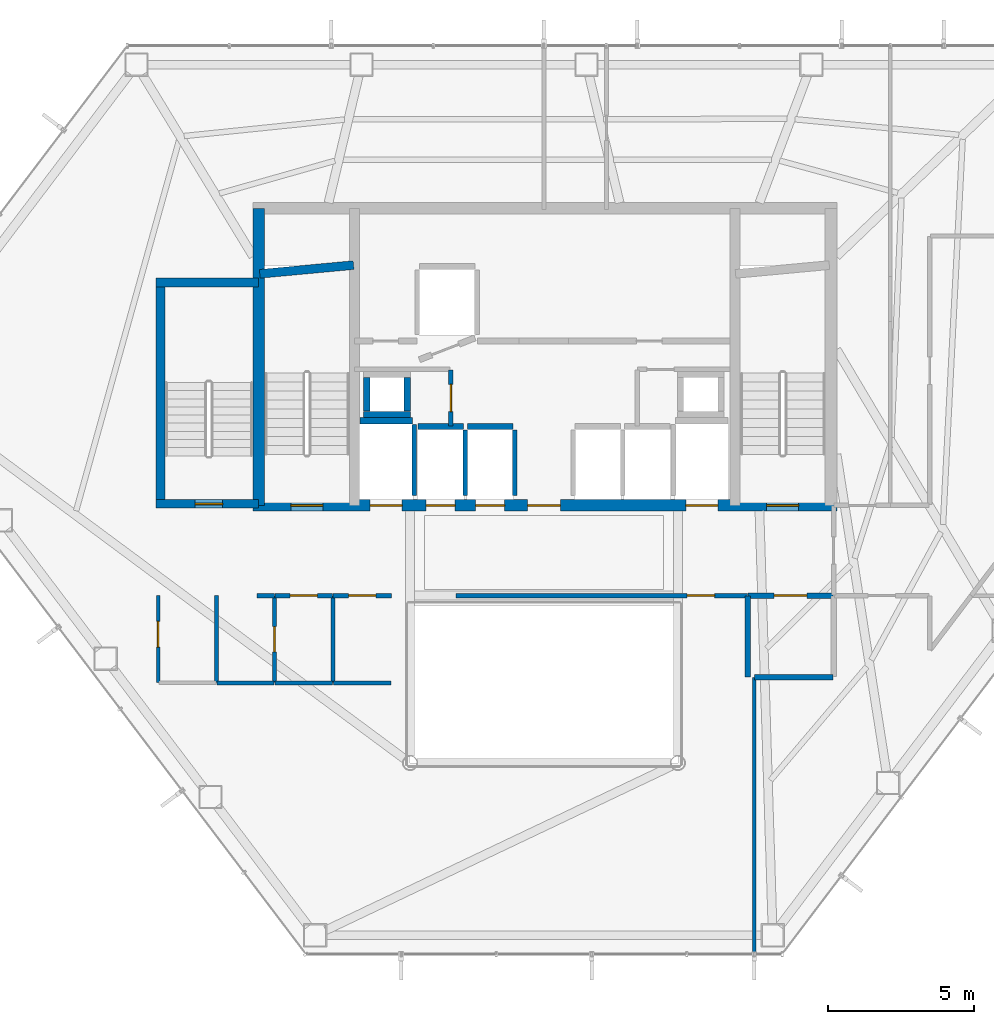
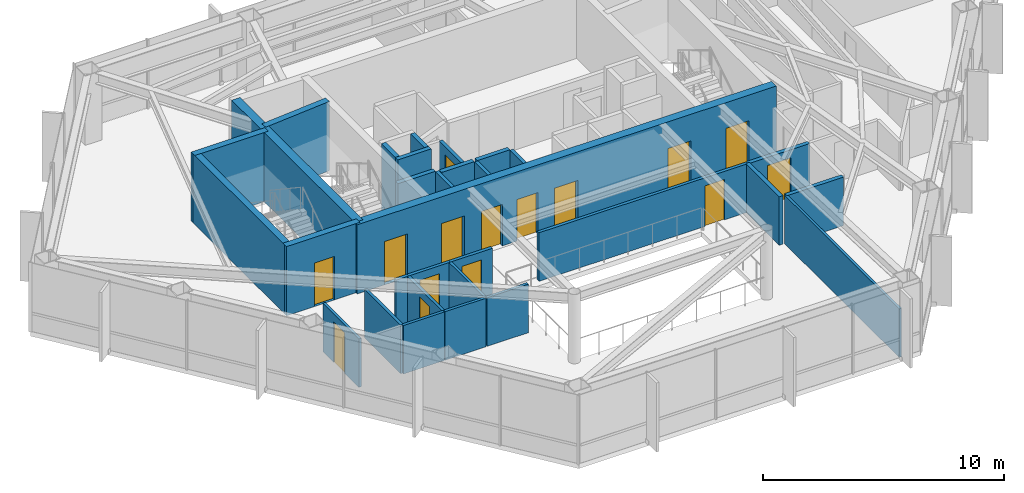
# One storey, part 25 of 28: 31 walls, 15 doors, 15 openings.
"""IFC4 building model written with IfcOpenShell, lengths in metres."""

from ifc_helpers import new_model, si_unit, direction, frame, frame_2d, origin, place, context, subcontext, project, spatial, rectangle, extrude, material, layer, layer_set, type_object, element, fill, save


model = new_model("IFC4")

# Units and contexts
model_context = context("Model", 3, precision=1e-05, world=origin(), true_north=direction((0.0, 1.0)))
body_context = subcontext(model_context, "Body", "Model", "MODEL_VIEW")
ifc_project = project(units=[si_unit("LENGTHUNIT", "METRE"), si_unit("AREAUNIT", "SQUARE_METRE"), si_unit("VOLUMEUNIT", "CUBIC_METRE"), si_unit("PLANEANGLEUNIT", "RADIAN"), si_unit("MASSUNIT", "GRAM", prefix="KILO")], contexts=[model_context])

# Site, building, storey
site_placement = place(None, origin())
site = spatial("IfcSite", under=ifc_project, at=site_placement, CompositionType="ELEMENT")
building_placement = place(site_placement, origin())
building = spatial("IfcBuilding", under=site, at=building_placement, Name="Zarrinselat Tower", CompositionType="ELEMENT")
storey_placement = place(building_placement, frame((0.0, 0.0, 149.60009765625)))
storey = spatial("IfcBuildingStorey", under=building, at=storey_placement, Name="L36", CompositionType="ELEMENT", Elevation=149.60009765625)

# Wall, opening, door
ifc_material_1 = material(Name="Concrete C40/50", Category="concrete")
ifc_layer_1 = layer(ifc_material_1, 0.18994140625)
ifc_layer_set_1 = layer_set([ifc_layer_1], Name="Concrete C40/50")
wall_type_1 = type_object("IfcWallType", Name="WAL-PART-EI120", PredefinedType="PARTITIONING", material=ifc_layer_set_1)
wall_1_placement = place(storey_placement, frame((45.405029296875, 30.14990234375, 0.0), z_axis=(0.0, 0.0, 1.0), x_axis=(1.0, 0.0, 0.0)))
wall_1 = element("IfcWall", 1, at=wall_1_placement, inside=storey, type_object=wall_type_1, Name="L36 Partition Wall 9", PredefinedType="PARTITIONING", context=body_context, shape_type="SweptSolid", body=[
    extrude(rectangle(XDim=2.925048828125, YDim=0.18994140625, at=frame_2d((1.46240234375, 0.0))), origin(), (0.0, 0.0, 1.0), 2.456787109375),
])
opening_1_placement = place(wall_1_placement, frame((0.902587890625, 0.0, 0.0)))
opening_1 = element("IfcOpeningElement", 2, at=opening_1_placement, cuts=wall_1, Name="Opening ID-02", PredefinedType="OPENING", context=body_context, shape_type="SweptSolid", body=[
    extrude(rectangle(XDim=1.1201171875, YDim=2.050048828125, at=frame_2d((0.56005859375, 1.02490234375))), frame((0.0, 0.10498046875, 0.0), z_axis=(0.0, -1.0, 0.0), x_axis=(1.0, 0.0, 0.0)), (0.0, 0.0, 1.0), 0.2099609375),
])
ifc_material_2 = material(Name="Steel S355J2", Category="steel")
door_type_1 = type_object("IfcDoorType", Name="DR-INT-FD60-W", OperationType="NOTDEFINED", PredefinedType="DOOR", material=ifc_material_2)
door_1_placement = place(opening_1_placement, origin())
door_1 = element("IfcDoor", 3, at=door_1_placement, inside=storey, type_object=door_type_1, Name="L36 Interior Door P9", OperationType="SINGLE_SWING_LEFT", OverallHeight=2.050048828125, OverallWidth=1.1201171875, PredefinedType="DOOR", context=body_context, shape_type="SweptSolid", body=[
    extrude(rectangle(XDim=1.1201171875, YDim=2.050048828125, at=frame_2d((0.56005859375, 1.02490234375))), frame((0.0, 0.02490234375, 0.0), z_axis=(0.0, -1.0, 0.0), x_axis=(1.0, 0.0, 0.0)), (0.0, 0.0, 1.0), 0.050048828125),
])
fill(opening_1, door_1)

# Walls
wall_2_placement = place(storey_placement, frame((45.39990234375, 27.35009765625, 0.0), z_axis=(0.0, 0.0, 1.0), x_axis=(0.0, 1.0, 0.0)))
element("IfcWall", 4, at=wall_2_placement, inside=storey, type_object=wall_type_1, Name="L36 Partition Wall 15", PredefinedType="PARTITIONING", context=body_context, shape_type="SweptSolid", body=[
    extrude(rectangle(XDim=2.77978515625, YDim=0.18994140625, at=frame_2d((1.389892578125, 0.0))), origin(), (0.0, 0.0, 1.0), 2.456787109375),
])
wall_3_placement = place(storey_placement, frame((45.623779296875, 27.35009765625, 0.0), z_axis=(0.0, 0.0, 1.0), x_axis=(1.0, 0.0, 0.0)))
element("IfcWall", 5, at=wall_3_placement, inside=storey, type_object=wall_type_1, Name="L36 Partition Wall 16", PredefinedType="PARTITIONING", context=body_context, shape_type="SweptSolid", body=[
    extrude(rectangle(XDim=2.706298828125, YDim=0.18994140625, at=frame_2d((1.35302734375, 0.0))), origin(), (0.0, 0.0, 1.0), 2.456787109375),
])

# Wall, opening, door
ifc_material_3 = material(Name="Fire-Rated Gypsum Board Partition", Category="gypsum")
ifc_layer_2 = layer(ifc_material_3, 0.14990234375)
ifc_layer_set_2 = layer_set([ifc_layer_2], Name="Fire-Rated Gypsum Board Partition")
wall_type_2 = type_object("IfcWallType", Name="WAL-PART-EI60", PredefinedType="PARTITIONING", material=ifc_layer_set_2)
wall_4_placement = place(storey_placement, frame((35.199951171875, 35.969970703125, 0.0), z_axis=(0.0, 0.0, 1.0), x_axis=(0.0, 1.0, 0.0)))
wall_4 = element("IfcWall", 6, at=wall_4_placement, inside=storey, type_object=wall_type_2, Name="L36 Partition Wall 1", PredefinedType="PARTITIONING", context=body_context, shape_type="SweptSolid", body=[
    extrude(rectangle(XDim=1.929931640625, YDim=0.14990234375, at=frame_2d((0.96484375, 0.0))), origin(), (0.0, 0.0, 1.0), 2.456787109375),
])
opening_2_placement = place(wall_4_placement, frame((0.4951171875, 0.0, 0.0)))
opening_2 = element("IfcOpeningElement", 7, at=opening_2_placement, cuts=wall_4, Name="Opening ID-04", PredefinedType="OPENING", context=body_context, shape_type="SweptSolid", body=[
    extrude(rectangle(XDim=0.93994140625, YDim=2.050048828125, at=frame_2d((0.469970703125, 1.02490234375))), frame((0.0, 0.0849609375, 0.0), z_axis=(0.0, -1.0, 0.0), x_axis=(1.0, 0.0, 0.0)), (0.0, 0.0, 1.0), 0.169921875),
])
ifc_material_4 = material(Name="Fire-Rated Gypsum Board Partition")
door_type_2 = type_object("IfcDoorType", Name="DR-INT-FD30-ENT", OperationType="NOTDEFINED", PredefinedType="DOOR", material=ifc_material_4)
door_2_placement = place(opening_2_placement, origin())
door_2 = element("IfcDoor", 8, at=door_2_placement, inside=storey, type_object=door_type_2, Name="L36 Interior Door P1", OperationType="SINGLE_SWING_LEFT", OverallHeight=2.050048828125, OverallWidth=0.93994140625, PredefinedType="DOOR", context=body_context, shape_type="SweptSolid", body=[
    extrude(rectangle(XDim=0.93994140625, YDim=2.050048828125, at=frame_2d((0.469970703125, 1.02490234375))), frame((0.0, 0.02490234375, 0.0), z_axis=(0.0, -1.0, 0.0), x_axis=(1.0, 0.0, 0.0)), (0.0, 0.0, 1.0), 0.050048828125),
])
fill(opening_2, door_2)

# Wall
wall_5_placement = place(storey_placement, frame((28.550048828125, 30.14990234375, 0.0), z_axis=(0.0, 0.0, 1.0), x_axis=(1.0, 0.0, 0.0)))
element("IfcWall", 9, at=wall_5_placement, inside=storey, type_object=wall_type_2, Name="L36 Partition Wall 11", PredefinedType="PARTITIONING", context=body_context, shape_type="SweptSolid", body=[
    extrude(rectangle(XDim=0.594970703125, YDim=0.14990234375, at=frame_2d((0.29736328125, 0.0))), origin(), (0.0, 0.0, 1.0), 2.456787109375),
])

# Wall, opening, door
wall_6_placement = place(storey_placement, frame((29.155029296875, 30.14990234375, 0.0), z_axis=(0.0, 0.0, 1.0), x_axis=(1.0, 0.0, 0.0)))
wall_6 = element("IfcWall", 10, at=wall_6_placement, inside=storey, type_object=wall_type_2, Name="L36 Partition Wall 12", PredefinedType="PARTITIONING", context=body_context, shape_type="SweptSolid", body=[
    extrude(rectangle(XDim=1.989990234375, YDim=0.14990234375, at=frame_2d((0.9951171875, 0.0))), origin(), (0.0, 0.0, 1.0), 2.456787109375),
])
opening_3_placement = place(wall_6_placement, frame((0.52490234375, 0.0, 0.0)))
opening_3 = element("IfcOpeningElement", 11, at=opening_3_placement, cuts=wall_6, Name="Opening ID-04", PredefinedType="OPENING", context=body_context, shape_type="SweptSolid", body=[
    extrude(rectangle(XDim=0.93994140625, YDim=2.050048828125, at=frame_2d((0.469970703125, 1.02490234375))), frame((0.0, 0.0849609375, 0.0), z_axis=(0.0, -1.0, 0.0), x_axis=(1.0, 0.0, 0.0)), (0.0, 0.0, 1.0), 0.169921875),
])
door_3_placement = place(opening_3_placement, origin())
door_3 = element("IfcDoor", 12, at=door_3_placement, inside=storey, type_object=door_type_2, Name="L36 Interior Door P12", OperationType="SINGLE_SWING_LEFT", OverallHeight=2.050048828125, OverallWidth=0.93994140625, PredefinedType="DOOR", context=body_context, shape_type="SweptSolid", body=[
    extrude(rectangle(XDim=0.93994140625, YDim=2.050048828125, at=frame_2d((0.469970703125, 1.02490234375))), frame((0.0, 0.02490234375, 0.0), z_axis=(0.0, -1.0, 0.0), x_axis=(1.0, 0.0, 0.0)), (0.0, 0.0, 1.0), 0.050048828125),
])
fill(opening_3, door_3)

wall_7_placement = place(storey_placement, frame((31.155029296875, 30.14990234375, 0.0), z_axis=(0.0, 0.0, 1.0), x_axis=(1.0, 0.0, 0.0)))
wall_7 = element("IfcWall", 13, at=wall_7_placement, inside=storey, type_object=wall_type_2, Name="L36 Partition Wall 13", PredefinedType="PARTITIONING", context=body_context, shape_type="SweptSolid", body=[
    extrude(rectangle(XDim=2.010009765625, YDim=0.14990234375, at=frame_2d((1.0048828125, 0.0))), origin(), (0.0, 0.0, 1.0), 2.456787109375),
])
opening_4_placement = place(wall_7_placement, frame((0.534912109375, 0.0, 0.0)))
opening_4 = element("IfcOpeningElement", 14, at=opening_4_placement, cuts=wall_7, Name="Opening ID-04", PredefinedType="OPENING", context=body_context, shape_type="SweptSolid", body=[
    extrude(rectangle(XDim=0.93994140625, YDim=2.050048828125, at=frame_2d((0.469970703125, 1.02490234375))), frame((0.0, 0.0849609375, 0.0), z_axis=(0.0, -1.0, 0.0), x_axis=(1.0, 0.0, 0.0)), (0.0, 0.0, 1.0), 0.169921875),
])
door_4_placement = place(opening_4_placement, origin())
door_4 = element("IfcDoor", 15, at=door_4_placement, inside=storey, type_object=door_type_2, Name="L36 Interior Door P13", OperationType="SINGLE_SWING_RIGHT", OverallHeight=2.050048828125, OverallWidth=0.93994140625, PredefinedType="DOOR", context=body_context, shape_type="SweptSolid", body=[
    extrude(rectangle(XDim=0.93994140625, YDim=2.050048828125, at=frame_2d((0.469970703125, 1.02490234375))), frame((0.0, 0.02490234375, 0.0), z_axis=(0.0, -1.0, 0.0), x_axis=(1.0, 0.0, 0.0)), (0.0, 0.0, 1.0), 0.050048828125),
])
fill(opening_4, door_4)

wall_8_placement = place(storey_placement, frame((35.385009765625, 30.14990234375, 0.0), z_axis=(0.0, 0.0, 1.0), x_axis=(1.0, 0.0, 0.0)))
wall_8 = element("IfcWall", 16, at=wall_8_placement, inside=storey, type_object=wall_type_2, Name="L36 Partition Wall 14", PredefinedType="PARTITIONING", context=body_context, shape_type="SweptSolid", body=[
    extrude(rectangle(XDim=10.010009765625, YDim=0.14990234375, at=frame_2d((5.0048828125, 0.0))), origin(), (0.0, 0.0, 1.0), 2.456787109375),
])
opening_5_placement = place(wall_8_placement, frame((7.93505859375, 0.0, 0.0)))
opening_5 = element("IfcOpeningElement", 17, at=opening_5_placement, cuts=wall_8, Name="Opening ID-04", PredefinedType="OPENING", context=body_context, shape_type="SweptSolid", body=[
    extrude(rectangle(XDim=0.93994140625, YDim=2.050048828125, at=frame_2d((0.469970703125, 1.02490234375))), frame((0.0, 0.0849609375, 0.0), z_axis=(0.0, -1.0, 0.0), x_axis=(1.0, 0.0, 0.0)), (0.0, 0.0, 1.0), 0.169921875),
])
door_5_placement = place(opening_5_placement, origin())
door_5 = element("IfcDoor", 18, at=door_5_placement, inside=storey, type_object=door_type_2, Name="L36 Interior Door P14", OperationType="SINGLE_SWING_LEFT", OverallHeight=2.050048828125, OverallWidth=0.93994140625, PredefinedType="DOOR", context=body_context, shape_type="SweptSolid", body=[
    extrude(rectangle(XDim=0.93994140625, YDim=2.050048828125, at=frame_2d((0.469970703125, 1.02490234375))), frame((0.0, 0.02490234375, 0.0), z_axis=(0.0, -1.0, 0.0), x_axis=(1.0, 0.0, 0.0)), (0.0, 0.0, 1.0), 0.050048828125),
])
fill(opening_5, door_5)

ifc_material_5 = material(Name="Fire-Rated Gypsum Board Partition", Category="gypsum")
ifc_layer_3 = layer(ifc_material_5, 0.1201171875)
ifc_layer_set_3 = layer_set([ifc_layer_3], Name="Fire-Rated Gypsum Board Partition")
wall_type_3 = type_object("IfcWallType", Name="WAL-PART-STD", PredefinedType="PARTITIONING", material=ifc_layer_set_3)
wall_9_placement = place(storey_placement, frame((25.14990234375, 27.169921875, 0.0), z_axis=(0.0, 0.0, 1.0), x_axis=(0.0, 1.0, 0.0)))
wall_9 = element("IfcWall", 19, at=wall_9_placement, inside=storey, type_object=wall_type_3, Name="L36 Partition Wall 31", PredefinedType="PARTITIONING", context=body_context, shape_type="SweptSolid", body=[
    extrude(rectangle(XDim=2.97998046875, YDim=0.1201171875, at=frame_2d((1.489990234375, 0.0))), origin(), (0.0, 0.0, 1.0), 2.456787109375),
])
opening_6_placement = place(wall_9_placement, frame((1.2099609375, 0.0, 0.0)))
opening_6 = element("IfcOpeningElement", 20, at=opening_6_placement, cuts=wall_9, Name="Opening ID-03", PredefinedType="OPENING", context=body_context, shape_type="SweptSolid", body=[
    extrude(rectangle(XDim=0.8798828125, YDim=2.050048828125, at=frame_2d((0.43994140625, 1.02490234375))), frame((0.0, 0.070068359375, 0.0), z_axis=(0.0, -1.0, 0.0), x_axis=(1.0, 0.0, 0.0)), (0.0, 0.0, 1.0), 0.14013671875),
])
ifc_material_6 = material(Name="Steel S355J2", Category="steel")
door_type_3 = type_object("IfcDoorType", Name="DR-INT-FD60-S", OperationType="NOTDEFINED", PredefinedType="DOOR", material=ifc_material_6)
door_6_placement = place(opening_6_placement, origin())
door_6 = element("IfcDoor", 21, at=door_6_placement, inside=storey, type_object=door_type_3, Name="L36 Interior Door P31", OperationType="SINGLE_SWING_RIGHT", OverallHeight=2.050048828125, OverallWidth=0.8798828125, PredefinedType="DOOR", context=body_context, shape_type="SweptSolid", body=[
    extrude(rectangle(XDim=0.8798828125, YDim=2.050048828125, at=frame_2d((0.43994140625, 1.02490234375))), frame((0.0, 0.02490234375, 0.0), z_axis=(0.0, -1.0, 0.0), x_axis=(1.0, 0.0, 0.0)), (0.0, 0.0, 1.0), 0.050048828125),
])
fill(opening_6, door_6)

# Walls
wall_10_placement = place(storey_placement, frame((45.61865234375, 17.846435546875, 0.0), z_axis=(0.0, 0.0, 1.0), x_axis=(0.0, 1.0, 0.0)))
element("IfcWall", 22, at=wall_10_placement, inside=storey, type_object=wall_type_3, Name="L36 Partition Wall 37", PredefinedType="PARTITIONING", context=body_context, shape_type="SweptSolid", body=[
    extrude(rectangle(XDim=9.483642578125, YDim=0.1201171875, at=frame_2d((4.74169921875, 0.0))), origin(), (0.0, 0.0, 1.0), 2.456787109375),
])
ifc_material_7 = material(Name="Fire-Rated Gypsum Board Partition", Category="gypsum")
ifc_layer_4 = layer(ifc_material_7, 0.135009765625)
ifc_layer_set_4 = layer_set([ifc_layer_4], Name="Fire-Rated Gypsum Board Partition")
wall_type_4 = type_object("IfcWallType", Name="WAL-PART-WET", PredefinedType="PARTITIONING", material=ifc_layer_set_4)
wall_11_placement = place(storey_placement, frame((27.14990234375, 27.169921875, 0.0), z_axis=(0.0, 0.0, 1.0), x_axis=(0.0, 1.0, 0.0)))
element("IfcWall", 23, at=wall_11_placement, inside=storey, type_object=wall_type_4, Name="L36 Partition Wall 29", PredefinedType="PARTITIONING", context=body_context, shape_type="SweptSolid", body=[
    extrude(rectangle(XDim=2.97998046875, YDim=0.135009765625, at=frame_2d((1.489990234375, 0.0))), origin(), (0.0, 0.0, 1.0), 2.456787109375),
])

# Wall, opening, door
wall_12_placement = place(storey_placement, frame((29.14990234375, 27.169921875, 0.0), z_axis=(0.0, 0.0, 1.0), x_axis=(0.0, 1.0, 0.0)))
wall_12 = element("IfcWall", 24, at=wall_12_placement, inside=storey, type_object=wall_type_4, Name="L36 Partition Wall 32", PredefinedType="PARTITIONING", context=body_context, shape_type="SweptSolid", body=[
    extrude(rectangle(XDim=2.9599609375, YDim=0.135009765625, at=frame_2d((1.47998046875, 0.0))), origin(), (0.0, 0.0, 1.0), 2.456787109375),
])
opening_7_placement = place(wall_12_placement, frame((1.050048828125, 0.0, 0.0)))
opening_7 = element("IfcOpeningElement", 25, at=opening_7_placement, cuts=wall_12, Name="Opening ID-06", PredefinedType="OPENING", context=body_context, shape_type="SweptSolid", body=[
    extrude(rectangle(XDim=0.860107421875, YDim=2.050048828125, at=frame_2d((0.43017578125, 1.02490234375))), frame((0.0, 0.077392578125, 0.0), z_axis=(0.0, -1.0, 0.0), x_axis=(1.0, 0.0, 0.0)), (0.0, 0.0, 1.0), 0.155029296875),
])
ifc_material_8 = material(Name="Extruded Aluminium Alloy EN AW-6063 T6", Category="aluminium")
door_type_4 = type_object("IfcDoorType", Name="DR-INT-WET-900", OperationType="NOTDEFINED", PredefinedType="DOOR", material=ifc_material_8)
door_7_placement = place(opening_7_placement, origin())
door_7 = element("IfcDoor", 26, at=door_7_placement, inside=storey, type_object=door_type_4, Name="L36 Interior Door P32", OperationType="SINGLE_SWING_LEFT", OverallHeight=2.050048828125, OverallWidth=0.860107421875, PredefinedType="DOOR", context=body_context, shape_type="SweptSolid", body=[
    extrude(rectangle(XDim=0.860107421875, YDim=2.050048828125, at=frame_2d((0.43017578125, 1.02490234375))), frame((0.0, 0.02490234375, 0.0), z_axis=(0.0, -1.0, 0.0), x_axis=(1.0, 0.0, 0.0)), (0.0, 0.0, 1.0), 0.050048828125),
])
fill(opening_7, door_7)

# Walls
wall_13_placement = place(storey_placement, frame((27.169921875, 27.14990234375, 0.0), z_axis=(0.0, 0.0, 1.0), x_axis=(1.0, 0.0, 0.0)))
element("IfcWall", 27, at=wall_13_placement, inside=storey, type_object=wall_type_4, Name="L36 Partition Wall 33", PredefinedType="PARTITIONING", context=body_context, shape_type="SweptSolid", body=[
    extrude(rectangle(XDim=1.9599609375, YDim=0.135009765625, at=frame_2d((0.97998046875, 0.0))), origin(), (0.0, 0.0, 1.0), 2.456787109375),
])
wall_14_placement = place(storey_placement, frame((31.14990234375, 27.169921875, 0.0), z_axis=(0.0, 0.0, 1.0), x_axis=(0.0, 1.0, 0.0)))
element("IfcWall", 28, at=wall_14_placement, inside=storey, type_object=wall_type_4, Name="L36 Partition Wall 34", PredefinedType="PARTITIONING", context=body_context, shape_type="SweptSolid", body=[
    extrude(rectangle(XDim=2.9599609375, YDim=0.135009765625, at=frame_2d((1.47998046875, 0.0))), origin(), (0.0, 0.0, 1.0), 2.456787109375),
])
wall_15_placement = place(storey_placement, frame((29.169921875, 27.14990234375, 0.0), z_axis=(0.0, 0.0, 1.0), x_axis=(1.0, 0.0, 0.0)))
element("IfcWall", 29, at=wall_15_placement, inside=storey, type_object=wall_type_4, Name="L36 Partition Wall 35", PredefinedType="PARTITIONING", context=body_context, shape_type="SweptSolid", body=[
    extrude(rectangle(XDim=1.9599609375, YDim=0.135009765625, at=frame_2d((0.97998046875, 0.0))), origin(), (0.0, 0.0, 1.0), 2.456787109375),
])
wall_16_placement = place(storey_placement, frame((31.169921875, 27.14990234375, 0.0), z_axis=(0.0, 0.0, 1.0), x_axis=(1.0, 0.0, 0.0)))
element("IfcWall", 30, at=wall_16_placement, inside=storey, type_object=wall_type_4, Name="L36 Partition Wall 36", PredefinedType="PARTITIONING", context=body_context, shape_type="SweptSolid", body=[
    extrude(rectangle(XDim=1.97998046875, YDim=0.135009765625, at=frame_2d((0.989990234375, 0.0))), origin(), (0.0, 0.0, 1.0), 2.456787109375),
])
ifc_material_9 = material(Name="Concrete C40/50", Category="concrete")
ifc_layer_5 = layer(ifc_material_9, 0.2099609375)
ifc_layer_set_5 = layer_set([ifc_layer_5], Name="Concrete C40/50")
wall_type_5 = type_object("IfcWallType", Name="WAL-SHAFT-210", PredefinedType="SOLIDWALL", material=ifc_layer_set_5)
wall_17_placement = place(storey_placement, frame((32.080078125, 36.155029296875, 0.0), z_axis=(0.0, 0.0, 1.0), x_axis=(1.0, 0.0, 0.0)))
element("IfcWall", 31, at=wall_17_placement, inside=storey, type_object=wall_type_5, Name="L36 Lift FFL1 North Shaft Wall", PredefinedType="SOLIDWALL", context=body_context, shape_type="SweptSolid", body=[
    extrude(rectangle(XDim=1.7998046875, YDim=0.2099609375, at=frame_2d((0.89990234375, 0.0))), origin(), (0.0, 0.0, 1.0), 2.471923828125),
])
wall_18_placement = place(storey_placement, frame((33.949951171875, 33.580078125, 0.0), z_axis=(0.0, 0.0, 1.0), x_axis=(0.0, 1.0, 0.0)))
element("IfcWall", 32, at=wall_18_placement, inside=storey, type_object=wall_type_5, Name="L36 Lift FFL1 E Shaft Wall", PredefinedType="SOLIDWALL", context=body_context, shape_type="SweptSolid", body=[
    extrude(rectangle(XDim=2.449951171875, YDim=0.159912109375, at=frame_2d((1.22509765625, 0.0))), origin(), (0.0, 0.0, 1.0), 2.471923828125),
])
wall_19_placement = place(storey_placement, frame((34.070068359375, 35.955078125, 0.0), z_axis=(0.0, 0.0, 1.0), x_axis=(1.0, 0.0, 0.0)))
element("IfcWall", 33, at=wall_19_placement, inside=storey, type_object=wall_type_5, Name="L36 Lift PL5 North Shaft Wall", PredefinedType="SOLIDWALL", context=body_context, shape_type="SweptSolid", body=[
    extrude(rectangle(XDim=1.559814453125, YDim=0.2099609375, at=frame_2d((0.77978515625, 0.0))), origin(), (0.0, 0.0, 1.0), 2.471923828125),
])
wall_20_placement = place(storey_placement, frame((35.699951171875, 33.580078125, 0.0), z_axis=(0.0, 0.0, 1.0), x_axis=(0.0, 1.0, 0.0)))
element("IfcWall", 34, at=wall_20_placement, inside=storey, type_object=wall_type_5, Name="L36 Lift PL5 E Shaft Wall", PredefinedType="SOLIDWALL", context=body_context, shape_type="SweptSolid", body=[
    extrude(rectangle(XDim=2.25, YDim=0.159912109375, at=frame_2d((1.125, 0.0))), origin(), (0.0, 0.0, 1.0), 2.471923828125),
])
wall_21_placement = place(storey_placement, frame((35.77001953125, 35.955078125, 0.0), z_axis=(0.0, 0.0, 1.0), x_axis=(1.0, 0.0, 0.0)))
element("IfcWall", 35, at=wall_21_placement, inside=storey, type_object=wall_type_5, Name="L36 Lift PL6 North Shaft Wall", PredefinedType="SOLIDWALL", context=body_context, shape_type="SweptSolid", body=[
    extrude(rectangle(XDim=1.56005859375, YDim=0.2099609375, at=frame_2d((0.780029296875, 0.0))), origin(), (0.0, 0.0, 1.0), 2.471923828125),
])
wall_22_placement = place(storey_placement, frame((37.39990234375, 33.580078125, 0.0), z_axis=(0.0, 0.0, 1.0), x_axis=(0.0, 1.0, 0.0)))
element("IfcWall", 36, at=wall_22_placement, inside=storey, type_object=wall_type_5, Name="L36 Lift PL6 E Shaft Wall", PredefinedType="SOLIDWALL", context=body_context, shape_type="SweptSolid", body=[
    extrude(rectangle(XDim=2.25, YDim=0.159912109375, at=frame_2d((1.125, 0.0))), origin(), (0.0, 0.0, 1.0), 2.471923828125),
])
wall_23_placement = place(storey_placement, frame((32.2099609375, 36.375, 0.0), z_axis=(0.0, 0.0, 1.0), x_axis=(1.0, 0.0, 0.0)))
element("IfcWall", 37, at=wall_23_placement, inside=storey, type_object=wall_type_5, Name="L36 Core Riser RSR-W S Shaft Wall", PredefinedType="SOLIDWALL", context=body_context, shape_type="SweptSolid", body=[
    extrude(rectangle(XDim=1.60009765625, YDim=0.2099609375, at=frame_2d((0.800048828125, 0.0))), origin(), (0.0, 0.0, 1.0), 3.5),
])
for number, where, z_axis, x_axis, name in (
    (38, (32.31494140625, 36.485107421875, 0.0), (0.0, 0.0, 1.0), (0.0, 1.0, 0.0), "L36 Core Riser RSR-W W Shaft Wall"),
    (39, (33.705078125, 36.485107421875, 0.0), (0.0, 0.0, 1.0), (0.0, 1.0, 0.0), "L36 Core Riser RSR-W E Shaft Wall"),
):
    element("IfcWall", number, at=place(storey_placement, frame(where, z_axis=z_axis, x_axis=x_axis)), inside=storey, type_object=wall_type_5, Name=name, PredefinedType="SOLIDWALL", context=body_context, shape_type="SweptSolid", body=[
        extrude(rectangle(XDim=1.14990234375, YDim=0.2099609375, at=frame_2d((0.574951171875, 0.0))), origin(), (0.0, 0.0, 1.0), 3.5),
    ])
ifc_material_10 = material(Name="Concrete C40/50", Category="concrete")
ifc_layer_6 = layer(ifc_material_10, 0.300048828125)
ifc_layer_set_6 = layer_set([ifc_layer_6], Name="Concrete C40/50")
wall_type_6 = type_object("IfcWallType", Name="WAL-SHEAR-300", PredefinedType="SHEAR", material=ifc_layer_set_6)
wall_24_placement = place(storey_placement, frame((28.639892578125, 41.199951171875, 0.0), z_axis=(0.0, 0.0, 1.0), x_axis=(0.995687118776, 0.092774789157, 0.0)))
element("IfcWall", 40, at=wall_24_placement, inside=storey, type_object=wall_type_6, Name="L36 Stair 1 North Shaft Wall", PredefinedType="SHEAR", context=body_context, shape_type="SweptSolid", body=[
    extrude(rectangle(XDim=3.234130859375, YDim=0.300048828125, at=frame_2d((1.6171875, 0.0))), origin(), (0.0, 0.0, 1.0), 3.5),
])
wall_25_placement = place(storey_placement, frame((25.080078125, 40.89990234375, 0.0), z_axis=(0.0, 0.0, 1.0), x_axis=(1.0, 0.0, 0.0)))
element("IfcWall", 41, at=wall_25_placement, inside=storey, type_object=wall_type_6, Name="L36 Stair 3 North Shear Wall", PredefinedType="SHEAR", context=body_context, shape_type="SweptSolid", body=[
    extrude(rectangle(XDim=3.52001953125, YDim=0.300048828125, at=frame_2d((1.760009765625, 0.0))), origin(), (0.0, 0.0, 1.0), 3.5),
])

# Wall, opening, door
wall_26_placement = place(storey_placement, frame((25.080078125, 33.300048828125, 0.0), z_axis=(0.0, 0.0, 1.0), x_axis=(1.0, 0.0, 0.0)))
wall_26 = element("IfcWall", 42, at=wall_26_placement, inside=storey, type_object=wall_type_6, Name="L36 Stair 3 South Shear Wall", PredefinedType="SHEAR", context=body_context, shape_type="SweptSolid", body=[
    extrude(rectangle(XDim=3.52001953125, YDim=0.300048828125, at=frame_2d((1.760009765625, 0.0))), origin(), (0.0, 0.0, 1.0), 3.5),
])
opening_8_placement = place(wall_26_placement, frame((1.3349609375, 0.0, 0.0)))
opening_8 = element("IfcOpeningElement", 43, at=opening_8_placement, cuts=wall_26, Name="Opening SD-02", PredefinedType="OPENING", context=body_context, shape_type="SweptSolid", body=[
    extrude(rectangle(XDim=0.949951171875, YDim=2.199951171875, at=frame_2d((0.47509765625, 1.10009765625))), frame((0.0, 0.159912109375, 0.0), z_axis=(0.0, -1.0, 0.0), x_axis=(1.0, 0.0, 0.0)), (0.0, 0.0, 1.0), 0.320068359375),
])
ifc_material_11 = material(Name="Steel S355J2", Category="steel")
door_type_5 = type_object("IfcDoorType", Name="DR-STAIR-1050", OperationType="NOTDEFINED", PredefinedType="DOOR", material=ifc_material_11)
door_8_placement = place(opening_8_placement, origin())
door_8 = element("IfcDoor", 44, at=door_8_placement, inside=storey, type_object=door_type_5, Name="L36 Exit Stair 3 Fire Door", OperationType="SINGLE_SWING_LEFT", OverallHeight=2.199951171875, OverallWidth=0.949951171875, PredefinedType="DOOR", context=body_context, shape_type="SweptSolid", body=[
    extrude(rectangle(XDim=0.949951171875, YDim=2.199951171875, at=frame_2d((0.47509765625, 1.10009765625))), frame((0.0, 0.02490234375, 0.0), z_axis=(0.0, -1.0, 0.0), x_axis=(1.0, 0.0, 0.0)), (0.0, 0.0, 1.0), 0.050048828125),
])
fill(opening_8, door_8)

# Wall
wall_27_placement = place(storey_placement, frame((25.22998046875, 33.300048828125, 0.0), z_axis=(0.0, 0.0, 1.0), x_axis=(0.0, 1.0, 0.0)))
element("IfcWall", 45, at=wall_27_placement, inside=storey, type_object=wall_type_6, Name="L36 Stair 3 West Shear Wall", PredefinedType="SHEAR", context=body_context, shape_type="SweptSolid", body=[
    extrude(rectangle(XDim=7.599853515625, YDim=0.300048828125, at=frame_2d((3.7998046875, 0.0))), origin(), (0.0, 0.0, 1.0), 3.5),
])

# Wall, openings, doors
ifc_material_12 = material(Name="Concrete C60/75", Category="concrete")
ifc_layer_7 = layer(ifc_material_12, 0.39990234375)
ifc_layer_set_7 = layer_set([ifc_layer_7], Name="Concrete C60/75")
wall_type_7 = type_object("IfcWallType", Name="WAL-SHEAR-400", PredefinedType="SHEAR", material=ifc_layer_set_7)
wall_28_placement = place(storey_placement, frame((28.39990234375, 33.25, 0.0), z_axis=(0.0, 0.0, 1.0), x_axis=(1.0, 0.0, 0.0)))
wall_28 = element("IfcWall", 46, at=wall_28_placement, inside=storey, type_object=wall_type_7, Name="L36 South Core Shear Wall", PredefinedType="SHEAR", context=body_context, shape_type="SweptSolid", body=[
    extrude(rectangle(XDim=20.06005859375, YDim=0.39990234375, at=frame_2d((10.030029296875, 0.0))), origin(), (0.0, 0.0, 1.0), 3.5),
])
opening_9_placement = place(wall_28_placement, frame((4.030029296875, 0.0, 0.0)))
opening_9 = element("IfcOpeningElement", 47, at=opening_9_placement, cuts=wall_28, Name="Opening LD-FFL1", PredefinedType="OPENING", context=body_context, shape_type="SweptSolid", body=[
    extrude(rectangle(XDim=1.10009765625, YDim=2.14990234375, at=frame_2d((0.550048828125, 1.074951171875))), frame((0.0, 0.2099609375, 0.0), z_axis=(0.0, -1.0, 0.0), x_axis=(1.0, 0.0, 0.0)), (0.0, 0.0, 1.0), 0.419921875),
])
opening_10_placement = place(wall_28_placement, frame((14.8701171875, 0.0, 0.0)))
opening_10 = element("IfcOpeningElement", 48, at=opening_10_placement, cuts=wall_28, Name="Opening LD-FFL2", PredefinedType="OPENING", context=body_context, shape_type="SweptSolid", body=[
    extrude(rectangle(XDim=1.10009765625, YDim=2.14990234375, at=frame_2d((0.550048828125, 1.074951171875))), frame((0.0, 0.2099609375, 0.0), z_axis=(0.0, -1.0, 0.0), x_axis=(1.0, 0.0, 0.0)), (0.0, 0.0, 1.0), 0.419921875),
])
opening_11_placement = place(wall_28_placement, frame((5.949951171875, 0.0, 0.0)))
opening_11 = element("IfcOpeningElement", 49, at=opening_11_placement, cuts=wall_28, Name="Opening LD-PL5", PredefinedType="OPENING", context=body_context, shape_type="SweptSolid", body=[
    extrude(rectangle(XDim=1.0, YDim=2.10009765625, at=frame_2d((0.5, 1.050048828125))), frame((0.0, 0.2099609375, 0.0), z_axis=(0.0, -1.0, 0.0), x_axis=(1.0, 0.0, 0.0)), (0.0, 0.0, 1.0), 0.419921875),
])
opening_12_placement = place(wall_28_placement, frame((7.64990234375, 0.0, 0.0)))
opening_12 = element("IfcOpeningElement", 50, at=opening_12_placement, cuts=wall_28, Name="Opening LD-PL6", PredefinedType="OPENING", context=body_context, shape_type="SweptSolid", body=[
    extrude(rectangle(XDim=1.0, YDim=2.10009765625, at=frame_2d((0.5, 1.050048828125))), frame((0.0, 0.2099609375, 0.0), z_axis=(0.0, -1.0, 0.0), x_axis=(1.0, 0.0, 0.0)), (0.0, 0.0, 1.0), 0.419921875),
])
opening_13_placement = place(wall_28_placement, frame((1.31005859375, 0.0, 0.0)))
opening_13 = element("IfcOpeningElement", 51, at=opening_13_placement, cuts=wall_28, Name="Opening SD-01", PredefinedType="OPENING", context=body_context, shape_type="SweptSolid", body=[
    extrude(rectangle(XDim=1.10009765625, YDim=2.199951171875, at=frame_2d((0.550048828125, 1.10009765625))), frame((0.0, 0.2099609375, 0.0), z_axis=(0.0, -1.0, 0.0), x_axis=(1.0, 0.0, 0.0)), (0.0, 0.0, 1.0), 0.419921875),
])
opening_14_placement = place(wall_28_placement, frame((9.43994140625, 0.0, 0.0)))
opening_14 = element("IfcOpeningElement", 52, at=opening_14_placement, cuts=wall_28, Name="Opening ID-02", PredefinedType="OPENING", context=body_context, shape_type="SweptSolid", body=[
    extrude(rectangle(XDim=1.1201171875, YDim=2.050048828125, at=frame_2d((0.56005859375, 1.02490234375))), frame((0.0, 0.2099609375, 0.0), z_axis=(0.0, -1.0, 0.0), x_axis=(1.0, 0.0, 0.0)), (0.0, 0.0, 1.0), 0.419921875),
])
opening_15_placement = place(wall_28_placement, frame((17.64990234375, 0.0, 0.0)))
opening_15 = element("IfcOpeningElement", 53, at=opening_15_placement, cuts=wall_28, Name="Opening SD-01", PredefinedType="OPENING", context=body_context, shape_type="SweptSolid", body=[
    extrude(rectangle(XDim=1.10009765625, YDim=2.199951171875, at=frame_2d((0.550048828125, 1.10009765625))), frame((0.0, 0.2099609375, 0.0), z_axis=(0.0, -1.0, 0.0), x_axis=(1.0, 0.0, 0.0)), (0.0, 0.0, 1.0), 0.419921875),
])
door_9_placement = place(opening_14_placement, origin())
door_9 = element("IfcDoor", 54, at=door_9_placement, inside=storey, type_object=door_type_1, Name="L36 Core Service Vestibule Fire Door", OperationType="SINGLE_SWING_RIGHT", OverallHeight=2.050048828125, OverallWidth=1.1201171875, PredefinedType="DOOR", context=body_context, shape_type="SweptSolid", body=[
    extrude(rectangle(XDim=1.1201171875, YDim=2.050048828125, at=frame_2d((0.56005859375, 1.02490234375))), frame((0.0, 0.02490234375, 0.0), z_axis=(0.0, -1.0, 0.0), x_axis=(1.0, 0.0, 0.0)), (0.0, 0.0, 1.0), 0.050048828125),
])
fill(opening_14, door_9)
ifc_material_13 = material(Name="Steel S355J2", Category="steel")
door_type_6 = type_object("IfcDoorType", Name="DR-LIFT-FF-1100", OperationType="NOTDEFINED", PredefinedType="DOOR", material=ifc_material_13)
door_10_placement = place(opening_9_placement, origin())
door_10 = element("IfcDoor", 55, at=door_10_placement, inside=storey, type_object=door_type_6, Name="L36 Lift FFL1 Sliding Landing Door", OperationType="SLIDING_TO_LEFT", OverallHeight=2.14990234375, OverallWidth=1.10009765625, PredefinedType="DOOR", context=body_context, shape_type="SweptSolid", body=[
    extrude(rectangle(XDim=1.10009765625, YDim=2.14990234375, at=frame_2d((0.550048828125, 1.074951171875))), frame((0.0, 0.02490234375, 0.0), z_axis=(0.0, -1.0, 0.0), x_axis=(1.0, 0.0, 0.0)), (0.0, 0.0, 1.0), 0.050048828125),
])
fill(opening_9, door_10)
door_11_placement = place(opening_10_placement, origin())
door_11 = element("IfcDoor", 56, at=door_11_placement, inside=storey, type_object=door_type_6, Name="L36 Lift FFL2 Sliding Landing Door", OperationType="SLIDING_TO_RIGHT", OverallHeight=2.14990234375, OverallWidth=1.10009765625, PredefinedType="DOOR", context=body_context, shape_type="SweptSolid", body=[
    extrude(rectangle(XDim=1.10009765625, YDim=2.14990234375, at=frame_2d((0.550048828125, 1.074951171875))), frame((0.0, 0.02490234375, 0.0), z_axis=(0.0, -1.0, 0.0), x_axis=(1.0, 0.0, 0.0)), (0.0, 0.0, 1.0), 0.050048828125),
])
fill(opening_10, door_11)
ifc_material_14 = material(Name="Steel S355J2", Category="steel")
door_type_7 = type_object("IfcDoorType", Name="DR-LIFT-PS-1000", OperationType="NOTDEFINED", PredefinedType="DOOR", material=ifc_material_14)
door_12_placement = place(opening_11_placement, origin())
door_12 = element("IfcDoor", 57, at=door_12_placement, inside=storey, type_object=door_type_7, Name="L36 Lift PL5 Sliding Landing Door", OperationType="SLIDING_TO_LEFT", OverallHeight=2.10009765625, OverallWidth=1.0, PredefinedType="DOOR", context=body_context, shape_type="SweptSolid", body=[
    extrude(rectangle(XDim=1.0, YDim=2.10009765625, at=frame_2d((0.5, 1.050048828125))), frame((0.0, 0.02490234375, 0.0), z_axis=(0.0, -1.0, 0.0), x_axis=(1.0, 0.0, 0.0)), (0.0, 0.0, 1.0), 0.050048828125),
])
fill(opening_11, door_12)
door_13_placement = place(opening_12_placement, origin())
door_13 = element("IfcDoor", 58, at=door_13_placement, inside=storey, type_object=door_type_7, Name="L36 Lift PL6 Sliding Landing Door", OperationType="SLIDING_TO_RIGHT", OverallHeight=2.10009765625, OverallWidth=1.0, PredefinedType="DOOR", context=body_context, shape_type="SweptSolid", body=[
    extrude(rectangle(XDim=1.0, YDim=2.10009765625, at=frame_2d((0.5, 1.050048828125))), frame((0.0, 0.02490234375, 0.0), z_axis=(0.0, -1.0, 0.0), x_axis=(1.0, 0.0, 0.0)), (0.0, 0.0, 1.0), 0.050048828125),
])
fill(opening_12, door_13)
ifc_material_15 = material(Name="Steel S355J2", Category="steel")
door_type_8 = type_object("IfcDoorType", Name="DR-STAIR-1100", OperationType="NOTDEFINED", PredefinedType="DOOR", material=ifc_material_15)
door_14_placement = place(opening_13_placement, origin())
door_14 = element("IfcDoor", 59, at=door_14_placement, inside=storey, type_object=door_type_8, Name="L36 Exit Stair 1 Fire Door", OperationType="SINGLE_SWING_LEFT", OverallHeight=2.199951171875, OverallWidth=1.10009765625, PredefinedType="DOOR", context=body_context, shape_type="SweptSolid", body=[
    extrude(rectangle(XDim=1.10009765625, YDim=2.199951171875, at=frame_2d((0.550048828125, 1.10009765625))), frame((0.0, 0.02490234375, 0.0), z_axis=(0.0, -1.0, 0.0), x_axis=(1.0, 0.0, 0.0)), (0.0, 0.0, 1.0), 0.050048828125),
])
fill(opening_13, door_14)
door_15_placement = place(opening_15_placement, origin())
door_15 = element("IfcDoor", 60, at=door_15_placement, inside=storey, type_object=door_type_8, Name="L36 Exit Stair 2 Fire Door", OperationType="SINGLE_SWING_RIGHT", OverallHeight=2.199951171875, OverallWidth=1.10009765625, PredefinedType="DOOR", context=body_context, shape_type="SweptSolid", body=[
    extrude(rectangle(XDim=1.10009765625, YDim=2.199951171875, at=frame_2d((0.550048828125, 1.10009765625))), frame((0.0, 0.02490234375, 0.0), z_axis=(0.0, -1.0, 0.0), x_axis=(1.0, 0.0, 0.0)), (0.0, 0.0, 1.0), 0.050048828125),
])
fill(opening_15, door_15)

# Wall
wall_29_placement = place(storey_placement, frame((28.60009765625, 33.25, 0.0), z_axis=(0.0, 0.0, 1.0), x_axis=(0.0, 1.0, 0.0)))
element("IfcWall", 61, at=wall_29_placement, inside=storey, type_object=wall_type_7, Name="L36 Core Shear Wall W", PredefinedType="SHEAR", context=body_context, shape_type="SweptSolid", body=[
    extrude(rectangle(XDim=10.199951171875, YDim=0.39990234375, at=frame_2d((5.10009765625, 0.0))), origin(), (0.0, 0.0, 1.0), 3.5),
])

save(model, "model.ifc")
